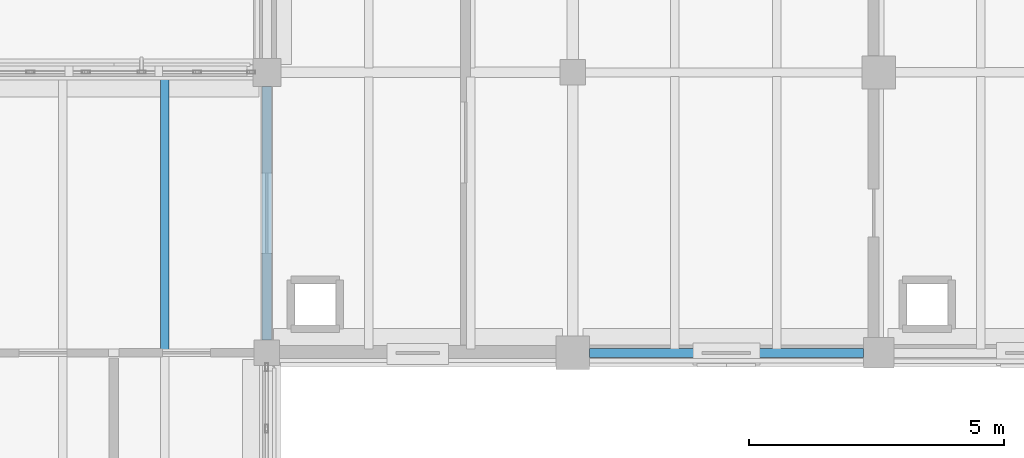
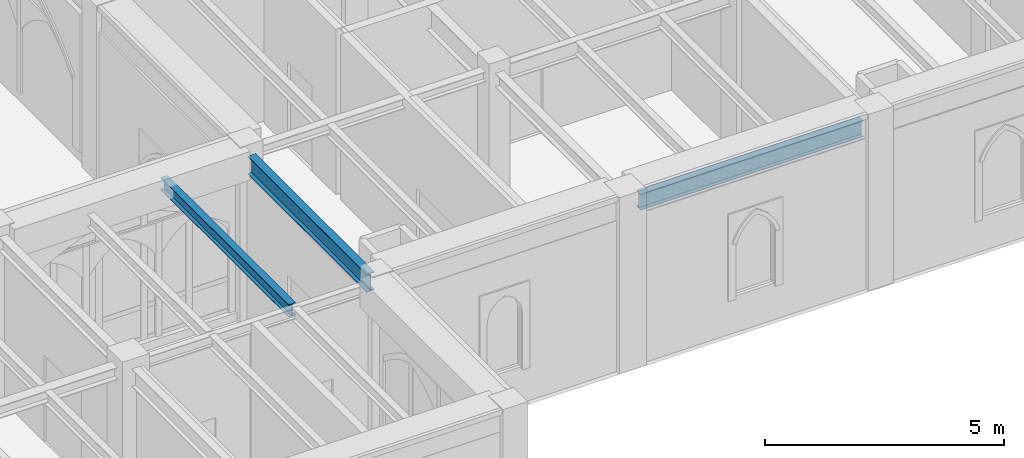
# One storey, part 46 of 127: 3 beams.
"""IFC4 building model written with IfcOpenShell, lengths in metres."""

from ifc_helpers import new_model, si_unit, direction, frame, origin, origin_2d, place, context, subcontext, project, spatial, i_section, extrude, material, material_profile, profile_set, type_object, element, save


model = new_model("IFC4")

# Units and contexts
model_context = context("Model", 3, precision=1e-05, world=origin(), true_north=direction((0.0, 1.0)))
body_context = subcontext(model_context, "Body", "Model", "MODEL_VIEW")
ifc_project = project(units=[si_unit("LENGTHUNIT", "METRE"), si_unit("AREAUNIT", "SQUARE_METRE"), si_unit("VOLUMEUNIT", "CUBIC_METRE"), si_unit("PLANEANGLEUNIT", "RADIAN"), si_unit("MASSUNIT", "GRAM", prefix="KILO")], contexts=[model_context])

# Site, building, storey
site_placement = place(None, origin())
site = spatial("IfcSite", under=ifc_project, at=site_placement, CompositionType="ELEMENT")
building_placement = place(site_placement, origin())
building = spatial("IfcBuilding", under=site, at=building_placement, Name="Cumevento Cable Car Station", CompositionType="ELEMENT")
storey_placement = place(building_placement, frame((0.0, 0.0, 4.5)))
storey = spatial("IfcBuildingStorey", under=building, at=storey_placement, Name="L02", CompositionType="ELEMENT", Elevation=4.5)

# Beams
ifc_material_1 = material(Name="Steel ASTM A572 Grade 50", Category="steel")
ifc_material_profile_1 = material_profile(ifc_material_1, i_section(OverallWidth=0.18994140625, OverallDepth=0.45703125, WebThickness=0.009033203125, FlangeThickness=0.014404296875, at=origin_2d()), Name="W460x74.0")
ifc_profile_set_1 = profile_set([ifc_material_profile_1], Name="Steel ASTM A572 Grade 50")
beam_type_1 = type_object("IfcBeamType", Name="Structural Beam BM-04 W460x74.0", PredefinedType="BEAM", material=ifc_profile_set_1)
beam_1_placement = place(storey_placement, frame((118.0, 9.75, 3.987548828125), z_axis=(0.0, 1.0, 0.0), x_axis=(-1.0, 0.0, 0.0)))
element("IfcBeam", 1, at=beam_1_placement, inside=storey, type_object=beam_type_1, Name="Beam BM-04 L02 #476", PredefinedType="BEAM", context=body_context, shape_type="SweptSolid", body=[
    extrude(i_section(OverallWidth=0.18994140625, OverallDepth=0.45703125, WebThickness=0.009033203125, FlangeThickness=0.014404296875, at=origin_2d()), origin(), (0.0, 0.0, 1.0), 4.97509765625),
])
ifc_material_2 = material(Name="Steel ASTM A572 Grade 50", Category="steel")
ifc_material_profile_2 = material_profile(ifc_material_2, i_section(OverallWidth=0.1669921875, OverallDepth=0.31689453125, WebThickness=0.007568359375, FlangeThickness=0.01318359375, at=origin_2d()), Name="W310x52.0")
ifc_profile_set_2 = profile_set([ifc_material_profile_2], Name="Steel ASTM A572 Grade 50")
beam_type_2 = type_object("IfcBeamType", Name="Structural Joist JS-02 W310x52.0", PredefinedType="JOIST", material=ifc_profile_set_2)
beam_2_placement = place(storey_placement, frame((116.0, 9.56201171875, 4.091552734375), z_axis=(0.0, 1.0, 0.0), x_axis=(-1.0, 0.0, 0.0)))
element("IfcBeam", 2, at=beam_2_placement, inside=storey, type_object=beam_type_2, Name="Composite Floor Joist JS-02 L02 #751", PredefinedType="JOIST", context=body_context, shape_type="SweptSolid", body=[
    extrude(i_section(OverallWidth=0.1669921875, OverallDepth=0.31689453125, WebThickness=0.007568359375, FlangeThickness=0.01318359375, at=origin_2d()), origin(), (0.0, 0.0, 1.0), 5.361083984375),
])
ifc_material_3 = material(Name="Steel ASTM A572 Grade 50", Category="steel")
ifc_material_profile_3 = material_profile(ifc_material_3, i_section(OverallWidth=0.177978515625, OverallDepth=0.406982421875, WebThickness=0.0078125, FlangeThickness=0.0126953125, at=origin_2d()), Name="W410x60.0")
ifc_profile_set_3 = profile_set([ifc_material_profile_3], Name="Steel ASTM A572 Grade 50")
beam_type_3 = type_object("IfcBeamType", Name="Structural Spandrel SP-01 W410x60.0", PredefinedType="SPANDREL", material=ifc_profile_set_3)
beam_3_placement = place(storey_placement, frame((124.324951171875, 9.5, 4.012451171875), z_axis=(1.0, 0.0, 0.0), x_axis=(0.0, 1.0, 0.0)))
element("IfcBeam", 3, at=beam_3_placement, inside=storey, type_object=beam_type_3, Name="Beam SP-01 L02 #651", PredefinedType="SPANDREL", context=body_context, shape_type="SweptSolid", body=[
    extrude(i_section(OverallWidth=0.177978515625, OverallDepth=0.406982421875, WebThickness=0.0078125, FlangeThickness=0.0126953125, at=origin_2d()), origin(), (0.0, 0.0, 1.0), 5.375),
])

save(model, "model.ifc")
